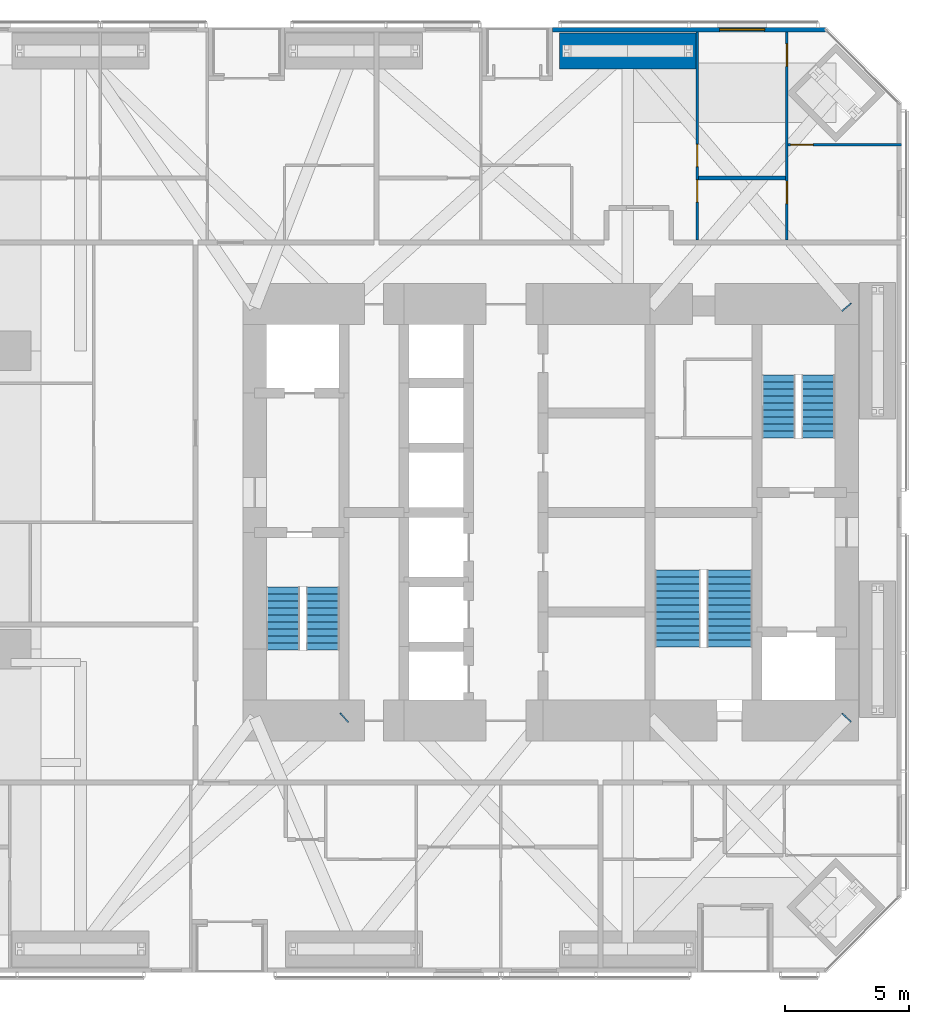
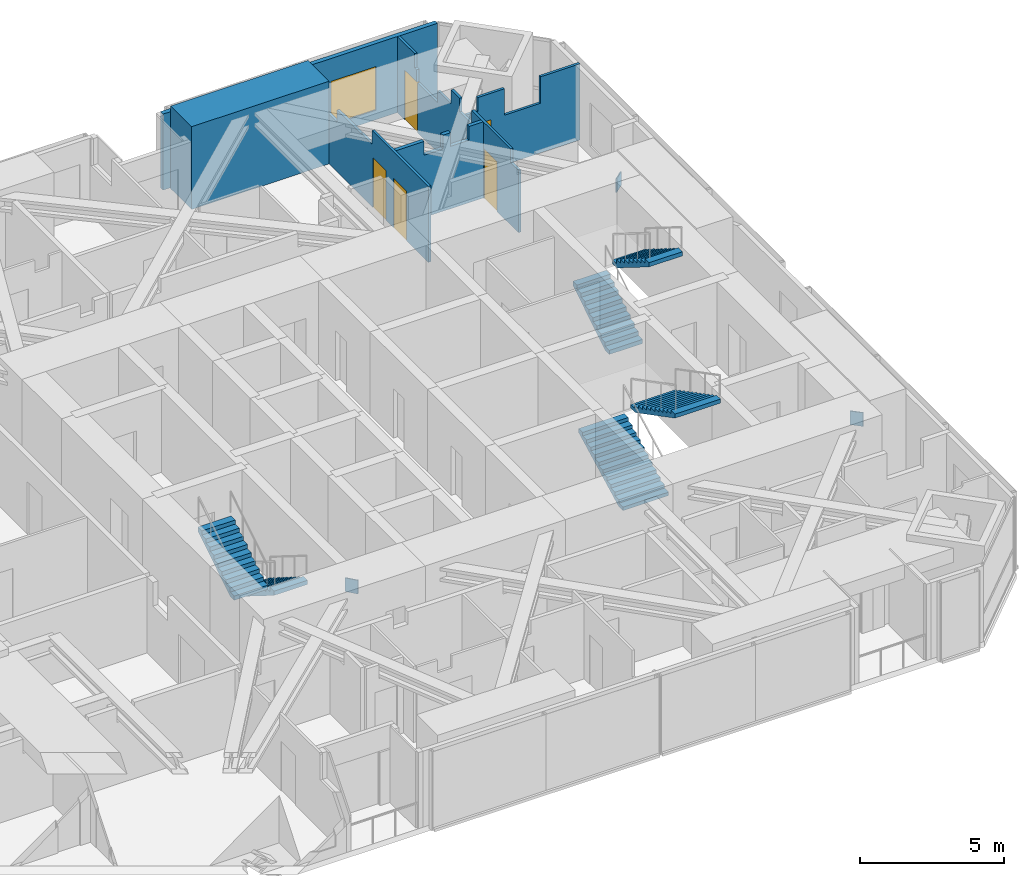
# One storey, part 21 of 22: 6 stair flights, 6 walls, 5 doors, 3 discrete accessories, 1 window, 6 openings, 3 elements without a shape of their own.
"""IFC4 building model written with IfcOpenShell, lengths in metres."""

from ifc_helpers import new_model, si_unit, direction, frame, frame_2d, origin, origin_2d, place, context, subcontext, project, spatial, polyline, rectangle, outline, extrude, material, layer, layer_set, constituent, constituent_set, material_profile, profile_set, type_object, element, fill, aggregate, save


model = new_model("IFC4")

# Units and contexts
model_context = context("Model", 3, precision=1e-05, world=origin(), true_north=direction((0.0, 1.0)))
body_context = subcontext(model_context, "Body", "Model", "MODEL_VIEW")
ifc_project = project(units=[si_unit("LENGTHUNIT", "METRE"), si_unit("AREAUNIT", "SQUARE_METRE"), si_unit("VOLUMEUNIT", "CUBIC_METRE"), si_unit("PLANEANGLEUNIT", "RADIAN"), si_unit("MASSUNIT", "GRAM", prefix="KILO")], contexts=[model_context])

# Site, building, storey
site_placement = place(None, origin())
site = spatial("IfcSite", under=ifc_project, at=site_placement, CompositionType="ELEMENT")
building_placement = place(site_placement, origin())
building = spatial("IfcBuilding", under=site, at=building_placement, Name="Jalousie Tower", CompositionType="ELEMENT")
storey_placement = place(building_placement, frame((0.0, 0.0, 71.25)))
storey = spatial("IfcBuildingStorey", under=building, at=storey_placement, Name="L19", CompositionType="ELEMENT", Elevation=71.25)

# Wall
ifc_material_1 = material(Name="Concrete block ASTM C90", Category="concrete")
ifc_constituent_1 = constituent(ifc_material_1, Name="Body")
ifc_material_2 = material(Name="Render")
ifc_constituent_2 = constituent(ifc_material_2, Name="Finish")
ifc_constituent_set_1 = constituent_set(constituents=[ifc_constituent_1, ifc_constituent_2])
wall_type_1 = type_object("IfcWallType", Name="BATHROOM WALL 150", PredefinedType="PLUMBINGWALL", material=ifc_constituent_set_1)
wall_1_placement = place(storey_placement, frame((37.85009765625, 31.949951171875, 0.0), z_axis=(0.0, 0.0, 1.0), x_axis=(1.0, 0.0, 0.0)))
element("IfcWall", 1, at=wall_1_placement, inside=storey, type_object=wall_type_1, Name="Bathroom Wall 150 L19", PredefinedType="PLUMBINGWALL", context=body_context, shape_type="SweptSolid", body=[
    extrude(outline(polyline([(0.0, 0.0), (3.5, 0.0), (3.5, 3.219970703125), (2.93359375, 3.219970703125), (2.93359375, 2.640869140625), (2.1787109375, 2.640869140625), (2.1787109375, 3.219970703125), (1.882080078125, 3.219970703125), (1.882080078125, 2.640869140625), (1.132568359375, 2.640869140625), (1.132568359375, 3.219970703125), (0.0, 3.219970703125), (0.0, 0.0)])), frame((0.0, 0.074951171875, 0.0), z_axis=(0.0, -1.0, 0.0), x_axis=(1.0, 0.0, 0.0)), (0.0, 0.0, 1.0), 0.14990234375),
])

# Wall, opening, window
ifc_material_3 = material(Name="Concrete f'c 40 MPa", Category="concrete")
ifc_constituent_3 = constituent(ifc_material_3, Name="Body")
ifc_material_4 = material(Name="Render, pastel coral")
ifc_constituent_4 = constituent(ifc_material_4, Name="Finish")
ifc_constituent_set_2 = constituent_set(constituents=[ifc_constituent_3, ifc_constituent_4])
wall_type_2 = type_object("IfcWallType", Name="EXTERNAL WALL 175 CORAL RENDER", PredefinedType="SOLIDWALL", material=ifc_constituent_set_2)
wall_2_placement = place(storey_placement, frame((42.94873046875, 37.91259765625, 0.0), z_axis=(0.0, 0.0, 1.0), x_axis=(-1.0, 0.0, 0.0)))
wall_2 = element("IfcWall", 2, at=wall_2_placement, inside=storey, type_object=wall_type_2, Name="External Wall 175 Coral Render L19", PredefinedType="SOLIDWALL", context=body_context, shape_type="SweptSolid", body=[
    extrude(rectangle(XDim=10.9736328125, YDim=0.175048828125, at=frame_2d((5.48681640625, 0.0))), origin(), (0.0, 0.0, 1.0), 3.219970703125),
])
opening_1_placement = place(wall_2_placement, frame((2.44873046875, 0.0, 0.39990234375)))
opening_1 = element("IfcOpeningElement", 3, at=opening_1_placement, cuts=wall_2, Name="Opening W-BED185", PredefinedType="OPENING", context=body_context, shape_type="SweptSolid", body=[
    extrude(rectangle(XDim=1.800048828125, YDim=1.85009765625, at=frame_2d((0.89990234375, 0.925048828125))), frame((0.0, 0.097412109375, 0.0), z_axis=(0.0, -1.0, 0.0), x_axis=(1.0, 0.0, 0.0)), (0.0, 0.0, 1.0), 0.195068359375),
])
ifc_material_5 = material(Name="Aluminium frame, impact-rated glazing", Category="aluminium")
window_type = type_object("IfcWindowType", Name="WINDOW BED 1800x1850", PartitioningType="SINGLE_PANEL", PredefinedType="WINDOW", material=ifc_material_5)
window_placement = place(opening_1_placement, origin())
window = element("IfcWindow", 4, at=window_placement, inside=storey, type_object=window_type, Name="Apartment 1904 bedroom 2 window", OverallHeight=1.85009765625, OverallWidth=1.800048828125, PartitioningType="SINGLE_PANEL", PredefinedType="WINDOW", context=body_context, shape_type="SweptSolid", body=[
    extrude(rectangle(XDim=1.800048828125, YDim=1.85009765625, at=frame_2d((0.89990234375, 0.925048828125))), frame((0.0, 0.030029296875, 0.0), z_axis=(0.0, -1.0, 0.0), x_axis=(1.0, 0.0, 0.0)), (0.0, 0.0, 1.0), 0.06005859375),
])
fill(opening_1, window)

# Wall, openings, doors
ifc_material_6 = material(Name="Gypsum board", Category="gypsum")
ifc_constituent_5 = constituent(ifc_material_6, Name="Body")
ifc_material_7 = material(Name="Light-gauge steel studs ASTM A653 SS Grade 33", Category="steel")
ifc_constituent_6 = constituent(ifc_material_7, Name="Framing")
ifc_constituent_set_3 = constituent_set(constituents=[ifc_constituent_5, ifc_constituent_6])
wall_type_3 = type_object("IfcWallType", Name="PARTITION 100", PredefinedType="PARTITIONING", material=ifc_constituent_set_3)
wall_3_placement = place(storey_placement, frame((37.800048828125, 37.824951171875, 0.0), z_axis=(0.0, 0.0, 1.0), x_axis=(0.0, -1.0, 0.0)))
wall_3 = element("IfcWall", 5, at=wall_3_placement, inside=storey, type_object=wall_type_3, Name="Partition 100 L19", PredefinedType="PARTITIONING", context=body_context, shape_type="SweptSolid", body=[
    extrude(outline(polyline([(0.0, 0.0), (8.375, 0.0), (8.375, 3.219970703125), (4.474365234375, 3.219970703125), (4.474365234375, 2.640869140625), (3.71630859375, 2.640869140625), (3.71630859375, 2.6201171875), (2.0615234375, 2.6201171875), (2.0615234375, 2.10009765625), (0.613525390625, 2.10009765625), (0.613525390625, 3.219970703125), (0.0, 3.219970703125), (0.0, 0.0)])), frame((0.0, 0.050048828125, 0.0), z_axis=(0.0, -1.0, 0.0), x_axis=(1.0, 0.0, 0.0)), (0.0, 0.0, 1.0), 0.10009765625),
])
opening_2_placement = place(wall_3_placement, frame((4.52490234375, 0.0, 0.0)))
opening_2 = element("IfcOpeningElement", 6, at=opening_2_placement, cuts=wall_3, Name="Opening D2", PredefinedType="OPENING", context=body_context, shape_type="SweptSolid", body=[
    extrude(rectangle(XDim=0.89990234375, YDim=2.10009765625, at=frame_2d((0.449951171875, 1.050048828125))), frame((0.0, 0.06005859375, 0.0), z_axis=(0.0, -1.0, 0.0), x_axis=(1.0, 0.0, 0.0)), (0.0, 0.0, 1.0), 0.1201171875),
])
opening_3_placement = place(wall_3_placement, frame((5.949951171875, 0.0, 0.0)))
opening_3 = element("IfcOpeningElement", 7, at=opening_3_placement, cuts=wall_3, Name="Opening D7", PredefinedType="OPENING", context=body_context, shape_type="SweptSolid", body=[
    extrude(rectangle(XDim=0.89990234375, YDim=2.10009765625, at=frame_2d((0.449951171875, 1.050048828125))), frame((0.0, 0.06005859375, 0.0), z_axis=(0.0, -1.0, 0.0), x_axis=(1.0, 0.0, 0.0)), (0.0, 0.0, 1.0), 0.1201171875),
])
ifc_material_8 = material(Name="Timber door", Category="wood")
door_type_1 = type_object("IfcDoorType", Name="BEDROOM DOOR 900", OperationType="SINGLE_SWING_LEFT", PredefinedType="DOOR", material=ifc_material_8)
door_1_placement = place(opening_2_placement, origin())
door_1 = element("IfcDoor", 8, at=door_1_placement, inside=storey, type_object=door_type_1, Name="Apartment 1904 bedroom 2 door", OperationType="SINGLE_SWING_RIGHT", OverallHeight=2.10009765625, OverallWidth=0.89990234375, PredefinedType="DOOR", context=body_context, shape_type="SweptSolid", body=[
    extrude(rectangle(XDim=0.89990234375, YDim=2.10009765625, at=frame_2d((0.449951171875, 1.050048828125))), frame((0.0, 0.02490234375, 0.0), z_axis=(0.0, -1.0, 0.0), x_axis=(1.0, 0.0, 0.0)), (0.0, 0.0, 1.0), 0.050048828125),
])
fill(opening_2, door_1)
ifc_material_9 = material(Name="Timber door", Category="wood")
door_type_2 = type_object("IfcDoorType", Name="INTERNAL DOOR 900", OperationType="SINGLE_SWING_LEFT", PredefinedType="DOOR", material=ifc_material_9)
door_2_placement = place(opening_3_placement, origin())
door_2 = element("IfcDoor", 9, at=door_2_placement, inside=storey, type_object=door_type_2, Name="Apartment 1904 bathroom door", OperationType="SINGLE_SWING_LEFT", OverallHeight=2.10009765625, OverallWidth=0.89990234375, PredefinedType="DOOR", context=body_context, shape_type="SweptSolid", body=[
    extrude(rectangle(XDim=0.89990234375, YDim=2.10009765625, at=frame_2d((0.449951171875, 1.050048828125))), frame((0.0, 0.02490234375, 0.0), z_axis=(0.0, -1.0, 0.0), x_axis=(1.0, 0.0, 0.0)), (0.0, 0.0, 1.0), 0.050048828125),
])
fill(opening_3, door_2)

wall_4_placement = place(storey_placement, frame((41.39990234375, 37.824951171875, 0.0), z_axis=(0.0, 0.0, 1.0), x_axis=(0.0, -1.0, 0.0)))
wall_4 = element("IfcWall", 10, at=wall_4_placement, inside=storey, type_object=wall_type_3, Name="Partition 100 L19", PredefinedType="PARTITIONING", context=body_context, shape_type="SweptSolid", body=[
    extrude(outline(polyline([(0.0, 0.0), (8.375, 0.0), (8.375, 2.640869140625), (7.84375, 2.640869140625), (7.84375, 3.219970703125), (5.146484375, 3.219970703125), (5.146484375, 2.640869140625), (4.309814453125, 2.640869140625), (4.309814453125, 3.219970703125), (3.71630859375, 3.219970703125), (3.71630859375, 2.6201171875), (2.784912109375, 2.6201171875), (2.784912109375, 2.10009765625), (1.3369140625, 2.10009765625), (1.3369140625, 2.6201171875), (1.1962890625, 2.6201171875), (1.1962890625, 3.219970703125), (0.0, 3.219970703125), (0.0, 0.0)])), frame((0.0, 0.050048828125, 0.0), z_axis=(0.0, -1.0, 0.0), x_axis=(1.0, 0.0, 0.0)), (0.0, 0.0, 1.0), 0.10009765625),
])
opening_4_placement = place(wall_4_placement, frame((0.486328125, 0.0, 0.0)))
opening_4 = element("IfcOpeningElement", 11, at=opening_4_placement, cuts=wall_4, Name="Opening D2", PredefinedType="OPENING", context=body_context, shape_type="SweptSolid", body=[
    extrude(rectangle(XDim=0.89990234375, YDim=2.10009765625, at=frame_2d((0.449951171875, 1.050048828125))), frame((0.0, 0.06005859375, 0.0), z_axis=(0.0, -1.0, 0.0), x_axis=(1.0, 0.0, 0.0)), (0.0, 0.0, 1.0), 0.1201171875),
])
opening_5_placement = place(wall_4_placement, frame((6.005615234375, 0.0, 0.0)))
opening_5 = element("IfcOpeningElement", 12, at=opening_5_placement, cuts=wall_4, Name="Opening D3", PredefinedType="OPENING", context=body_context, shape_type="SweptSolid", body=[
    extrude(rectangle(XDim=0.89990234375, YDim=2.10009765625, at=frame_2d((0.449951171875, 1.050048828125))), frame((0.0, 0.06005859375, 0.0), z_axis=(0.0, -1.0, 0.0), x_axis=(1.0, 0.0, 0.0)), (0.0, 0.0, 1.0), 0.1201171875),
])
ifc_material_10 = material(Name="Timber door", Category="wood")
door_type_3 = type_object("IfcDoorType", Name="BATHROOM DOOR 900", OperationType="SINGLE_SWING_LEFT", PredefinedType="DOOR", material=ifc_material_10)
door_3_placement = place(opening_5_placement, frame((0.89990234375, 0.0, 0.0), z_axis=(0.0, 0.0, 1.0), x_axis=(-1.0, 0.0, 0.0)))
door_3 = element("IfcDoor", 13, at=door_3_placement, inside=storey, type_object=door_type_3, Name="Apartment 1904 bedroom 3 bathroom door", OperationType="SINGLE_SWING_RIGHT", OverallHeight=2.10009765625, OverallWidth=0.89990234375, PredefinedType="DOOR", context=body_context, shape_type="SweptSolid", body=[
    extrude(rectangle(XDim=0.89990234375, YDim=2.10009765625, at=frame_2d((0.449951171875, 1.050048828125))), frame((0.0, 0.02490234375, 0.0), z_axis=(0.0, -1.0, 0.0), x_axis=(1.0, 0.0, 0.0)), (0.0, 0.0, 1.0), 0.050048828125),
])
fill(opening_5, door_3)
door_4_placement = place(opening_4_placement, frame((0.89990234375, 0.0, 0.0), z_axis=(0.0, 0.0, 1.0), x_axis=(-1.0, 0.0, 0.0)))
door_4 = element("IfcDoor", 14, at=door_4_placement, inside=storey, type_object=door_type_1, Name="Apartment 1904 bedroom 3 door", OperationType="SINGLE_SWING_RIGHT", OverallHeight=2.10009765625, OverallWidth=0.89990234375, PredefinedType="DOOR", context=body_context, shape_type="SweptSolid", body=[
    extrude(rectangle(XDim=0.89990234375, YDim=2.10009765625, at=frame_2d((0.449951171875, 1.050048828125))), frame((0.0, 0.02490234375, 0.0), z_axis=(0.0, -1.0, 0.0), x_axis=(1.0, 0.0, 0.0)), (0.0, 0.0, 1.0), 0.050048828125),
])
fill(opening_4, door_4)

# Wall, opening, door
wall_5_placement = place(storey_placement, frame((41.449951171875, 33.288818359375, 0.0), z_axis=(0.0, 0.0, 1.0), x_axis=(1.0, 0.0, 0.0)))
wall_5 = element("IfcWall", 15, at=wall_5_placement, inside=storey, type_object=wall_type_3, Name="Partition 100 L19", PredefinedType="PARTITIONING", context=body_context, shape_type="SweptSolid", body=[
    extrude(outline(polyline([(0.0, 0.0), (4.550048828125, 0.0), (4.550048828125, 3.219970703125), (2.97314453125, 3.219970703125), (2.97314453125, 2.10009765625), (1.53857421875, 2.10009765625), (1.53857421875, 3.219970703125), (0.47216796875, 3.219970703125), (0.47216796875, 2.640869140625), (0.0, 2.640869140625), (0.0, 0.0)])), frame((0.0, 0.050048828125, 0.0), z_axis=(0.0, -1.0, 0.0), x_axis=(1.0, 0.0, 0.0)), (0.0, 0.0, 1.0), 0.10009765625),
])
opening_6_placement = place(wall_5_placement, frame((0.10009765625, 0.0, 0.0)))
opening_6 = element("IfcOpeningElement", 16, at=opening_6_placement, cuts=wall_5, Name="Opening D7", PredefinedType="OPENING", context=body_context, shape_type="SweptSolid", body=[
    extrude(rectangle(XDim=0.89990234375, YDim=2.10009765625, at=frame_2d((0.449951171875, 1.050048828125))), frame((0.0, 0.06005859375, 0.0), z_axis=(0.0, -1.0, 0.0), x_axis=(1.0, 0.0, 0.0)), (0.0, 0.0, 1.0), 0.1201171875),
])
door_5_placement = place(opening_6_placement, frame((0.89990234375, 0.0, 0.0), z_axis=(0.0, 0.0, 1.0), x_axis=(-1.0, 0.0, 0.0)))
door_5 = element("IfcDoor", 17, at=door_5_placement, inside=storey, type_object=door_type_2, Name="Apartment 1904 bedroom 3 dressing hall door", OperationType="SINGLE_SWING_RIGHT", OverallHeight=2.10009765625, OverallWidth=0.89990234375, PredefinedType="DOOR", context=body_context, shape_type="SweptSolid", body=[
    extrude(rectangle(XDim=0.89990234375, YDim=2.10009765625, at=frame_2d((0.449951171875, 1.050048828125))), frame((0.0, 0.02490234375, 0.0), z_axis=(0.0, -1.0, 0.0), x_axis=(1.0, 0.0, 0.0)), (0.0, 0.0, 1.0), 0.050048828125),
])
fill(opening_6, door_5)

# Wall
ifc_material_11 = material(Name="Concrete f'c 120 MPa", Category="concrete")
ifc_layer = layer(ifc_material_11, 1.449951171875)
ifc_layer_set = layer_set([ifc_layer], Name="Concrete f'c 120 MPa")
wall_type_4 = type_object("IfcWallType", Name="RC WALL PIER 1450", PredefinedType="SHEAR", material=ifc_layer_set)
wall_6_placement = place(storey_placement, frame((32.25, 37.050048828125, 0.0), z_axis=(0.0, 0.0, 1.0), x_axis=(1.0, 0.0, 0.0)))
element("IfcWall", 18, at=wall_6_placement, inside=storey, type_object=wall_type_4, Name="Wall pier 09 L19", PredefinedType="SHEAR", context=body_context, shape_type="SweptSolid", body=[
    extrude(rectangle(XDim=5.5, YDim=1.449951171875, at=frame_2d((2.75, 0.0))), origin(), (0.0, 0.0, 1.0), 3.5),
])

# Stair, stair flights
ifc_material_12 = material(Name="Concrete f'c 40 MPa", Category="concrete")
stair_type = type_object("IfcStairType", Name="EXIT STAIR", PredefinedType="HALF_TURN_STAIR", material=ifc_material_12)
stair_1_placement = place(storey_placement, origin())
stair_1 = element("IfcStair", 19, at=stair_1_placement, inside=storey, type_object=stair_type, Name="Exit stair A L19", PredefinedType="HALF_TURN_STAIR")
ifc_material_13 = material(Name="Concrete f'c 40 MPa", Category="concrete")
stair_flight_type = type_object("IfcStairFlightType", Name="STAIR FLIGHT", PredefinedType="STRAIGHT", material=ifc_material_13)
stair_flight_1_placement = place(storey_placement, frame((22.731201171875, 15.49755859375, 0.0), z_axis=(0.0, 0.0, 1.0), x_axis=(0.0, -1.0, 0.0)))
stair_flight_1 = element("IfcStairFlight", 20, at=stair_flight_1_placement, type_object=stair_flight_type, Name="ST-A flight 1", NumberOfRisers=10, NumberOfTreads=9, PredefinedType="STRAIGHT", RiserHeight=0.175, TreadLength=0.28, context=body_context, shape_type="SweptSolid", body=[
    extrude(outline(polyline([(0.0, 0.0), (0.0, 0.175048828125), (0.280029296875, 0.175048828125), (0.280029296875, 0.35009765625), (0.56005859375, 0.35009765625), (0.56005859375, 0.52490234375), (0.840087890625, 0.52490234375), (0.840087890625, 0.699951171875), (1.1201171875, 0.699951171875), (1.1201171875, 0.875), (1.39990234375, 0.875), (1.39990234375, 1.050048828125), (1.679931640625, 1.050048828125), (1.679931640625, 1.22509765625), (1.9599609375, 1.22509765625), (1.9599609375, 1.39990234375), (2.239990234375, 1.39990234375), (2.239990234375, 1.574951171875), (2.52001953125, 1.574951171875), (2.52001953125, 1.75), (2.52001953125, 1.398193359375), (0.28271484375, 0.0), (0.0, 0.0)])), frame((0.0, 0.668701171875, 0.0), z_axis=(0.0, -1.0, 0.0), x_axis=(1.0, 0.0, 0.0)), (0.0, 0.0, 1.0), 1.33740234375),
])
stair_flight_2_placement = place(storey_placement, frame((21.143798828125, 12.9775390625, 1.75), z_axis=(0.0, 0.0, 1.0), x_axis=(0.0, 1.0, 0.0)))
stair_flight_2 = element("IfcStairFlight", 21, at=stair_flight_2_placement, type_object=stair_flight_type, Name="ST-A flight 2", NumberOfRisers=10, NumberOfTreads=9, PredefinedType="STRAIGHT", RiserHeight=0.175, TreadLength=0.28, context=body_context, shape_type="SweptSolid", body=[
    extrude(outline(polyline([(0.0, 0.0), (0.0, 0.175048828125), (0.280029296875, 0.175048828125), (0.280029296875, 0.35009765625), (0.56005859375, 0.35009765625), (0.56005859375, 0.52490234375), (0.840087890625, 0.52490234375), (0.840087890625, 0.699951171875), (1.1201171875, 0.699951171875), (1.1201171875, 0.875), (1.39990234375, 0.875), (1.39990234375, 1.050048828125), (1.679931640625, 1.050048828125), (1.679931640625, 1.22509765625), (1.9599609375, 1.22509765625), (1.9599609375, 1.39990234375), (2.239990234375, 1.39990234375), (2.239990234375, 1.574951171875), (2.52001953125, 1.574951171875), (2.52001953125, 1.75), (2.52001953125, 1.398193359375), (0.28271484375, 0.0), (0.0, 0.0)])), frame((0.0, 0.668701171875, 0.0), z_axis=(0.0, -1.0, 0.0), x_axis=(1.0, 0.0, 0.0)), (0.0, 0.0, 1.0), 1.33740234375),
])
aggregate(stair_1, [stair_flight_1, stair_flight_2])

stair_2_placement = place(storey_placement, origin())
stair_2 = element("IfcStair", 22, at=stair_2_placement, inside=storey, type_object=stair_type, Name="Exit stair B L19", PredefinedType="HALF_TURN_STAIR")
stair_flight_3_placement = place(storey_placement, frame((41.06884765625, 21.50244140625, 0.0), z_axis=(0.0, 0.0, 1.0), x_axis=(0.0, 1.0, 0.0)))
stair_flight_3 = element("IfcStairFlight", 23, at=stair_flight_3_placement, type_object=stair_flight_type, Name="ST-B flight 1", NumberOfRisers=10, NumberOfTreads=9, PredefinedType="STRAIGHT", RiserHeight=0.175, TreadLength=0.28, context=body_context, shape_type="SweptSolid", body=[
    extrude(outline(polyline([(0.0, 0.0), (0.0, 0.175048828125), (0.280029296875, 0.175048828125), (0.280029296875, 0.35009765625), (0.56005859375, 0.35009765625), (0.56005859375, 0.52490234375), (0.840087890625, 0.52490234375), (0.840087890625, 0.699951171875), (1.1201171875, 0.699951171875), (1.1201171875, 0.875), (1.39990234375, 0.875), (1.39990234375, 1.050048828125), (1.679931640625, 1.050048828125), (1.679931640625, 1.22509765625), (1.9599609375, 1.22509765625), (1.9599609375, 1.39990234375), (2.239990234375, 1.39990234375), (2.239990234375, 1.574951171875), (2.52001953125, 1.574951171875), (2.52001953125, 1.75), (2.52001953125, 1.398193359375), (0.28271484375, 0.0), (0.0, 0.0)])), frame((0.0, 0.668701171875, 0.0), z_axis=(0.0, -1.0, 0.0), x_axis=(1.0, 0.0, 0.0)), (0.0, 0.0, 1.0), 1.33740234375),
])
stair_flight_4_placement = place(storey_placement, frame((42.65625, 24.0224609375, 1.75), z_axis=(0.0, 0.0, 1.0), x_axis=(0.0, -1.0, 0.0)))
stair_flight_4 = element("IfcStairFlight", 24, at=stair_flight_4_placement, type_object=stair_flight_type, Name="ST-B flight 2", NumberOfRisers=10, NumberOfTreads=9, PredefinedType="STRAIGHT", RiserHeight=0.175, TreadLength=0.28, context=body_context, shape_type="SweptSolid", body=[
    extrude(outline(polyline([(0.0, 0.0), (0.0, 0.175048828125), (0.280029296875, 0.175048828125), (0.280029296875, 0.35009765625), (0.56005859375, 0.35009765625), (0.56005859375, 0.52490234375), (0.840087890625, 0.52490234375), (0.840087890625, 0.699951171875), (1.1201171875, 0.699951171875), (1.1201171875, 0.875), (1.39990234375, 0.875), (1.39990234375, 1.050048828125), (1.679931640625, 1.050048828125), (1.679931640625, 1.22509765625), (1.9599609375, 1.22509765625), (1.9599609375, 1.39990234375), (2.239990234375, 1.39990234375), (2.239990234375, 1.574951171875), (2.52001953125, 1.574951171875), (2.52001953125, 1.75), (2.52001953125, 1.398193359375), (0.28271484375, 0.0), (0.0, 0.0)])), frame((0.0, 0.668701171875, 0.0), z_axis=(0.0, -1.0, 0.0), x_axis=(1.0, 0.0, 0.0)), (0.0, 0.0, 1.0), 1.33740234375),
])
aggregate(stair_2, [stair_flight_3, stair_flight_4])

stair_3_placement = place(storey_placement, origin())
stair_3 = element("IfcStair", 25, at=stair_3_placement, inside=storey, type_object=stair_type, Name="Exit stair C L19", PredefinedType="HALF_TURN_STAIR")
stair_flight_5_placement = place(storey_placement, frame((37.012451171875, 13.097412109375, 0.0), z_axis=(0.0, 0.0, 1.0), x_axis=(0.0, 1.0, 0.0)))
stair_flight_5 = element("IfcStairFlight", 26, at=stair_flight_5_placement, type_object=stair_flight_type, Name="ST-C flight 1", NumberOfRisers=12, NumberOfTreads=11, PredefinedType="STRAIGHT", RiserHeight=0.145833333, TreadLength=0.28, context=body_context, shape_type="SweptSolid", body=[
    extrude(outline(polyline([(0.0, 0.0), (0.0, 0.145751953125), (0.280029296875, 0.145751953125), (0.280029296875, 0.291748046875), (0.56005859375, 0.291748046875), (0.56005859375, 0.4375), (0.840087890625, 0.4375), (0.840087890625, 0.583251953125), (1.1201171875, 0.583251953125), (1.1201171875, 0.729248046875), (1.39990234375, 0.729248046875), (1.39990234375, 0.875), (1.679931640625, 0.875), (1.679931640625, 1.020751953125), (1.9599609375, 1.020751953125), (1.9599609375, 1.166748046875), (2.239990234375, 1.166748046875), (2.239990234375, 1.3125), (2.52001953125, 1.3125), (2.52001953125, 1.458251953125), (2.800048828125, 1.458251953125), (2.800048828125, 1.604248046875), (3.080078125, 1.604248046875), (3.080078125, 1.75), (3.080078125, 1.43505859375), (0.324462890625, 0.0), (0.0, 0.0)])), frame((0.0, 0.91259765625, 0.0), z_axis=(0.0, -1.0, 0.0), x_axis=(1.0, 0.0, 0.0)), (0.0, 0.0, 1.0), 1.824951171875),
])
stair_flight_6_placement = place(storey_placement, frame((39.08740234375, 16.177490234375, 1.75), z_axis=(0.0, 0.0, 1.0), x_axis=(0.0, -1.0, 0.0)))
stair_flight_6 = element("IfcStairFlight", 27, at=stair_flight_6_placement, type_object=stair_flight_type, Name="ST-C flight 2", NumberOfRisers=12, NumberOfTreads=11, PredefinedType="STRAIGHT", RiserHeight=0.145833333, TreadLength=0.28, context=body_context, shape_type="SweptSolid", body=[
    extrude(outline(polyline([(0.0, 0.0), (0.0, 0.145751953125), (0.280029296875, 0.145751953125), (0.280029296875, 0.291748046875), (0.56005859375, 0.291748046875), (0.56005859375, 0.4375), (0.840087890625, 0.4375), (0.840087890625, 0.583251953125), (1.1201171875, 0.583251953125), (1.1201171875, 0.729248046875), (1.39990234375, 0.729248046875), (1.39990234375, 0.875), (1.679931640625, 0.875), (1.679931640625, 1.020751953125), (1.9599609375, 1.020751953125), (1.9599609375, 1.166748046875), (2.239990234375, 1.166748046875), (2.239990234375, 1.3125), (2.52001953125, 1.3125), (2.52001953125, 1.458251953125), (2.800048828125, 1.458251953125), (2.800048828125, 1.604248046875), (3.080078125, 1.604248046875), (3.080078125, 1.75), (3.080078125, 1.43505859375), (0.324462890625, 0.0), (0.0, 0.0)])), frame((0.0, 0.91259765625, 0.0), z_axis=(0.0, -1.0, 0.0), x_axis=(1.0, 0.0, 0.0)), (0.0, 0.0, 1.0), 1.824951171875),
])
aggregate(stair_3, [stair_flight_5, stair_flight_6])

# Discrete accessories
ifc_material_14 = material(Name="Steel ASTM A572 Grade 50 plate", Category="steel")
ifc_material_profile = material_profile(ifc_material_14, rectangle(XDim=0.472412109375, YDim=0.5791015625, at=origin_2d()), Name="BRACE END PLATE 472x579x40")
ifc_profile_set = profile_set([ifc_material_profile], Name="Steel ASTM A572 Grade 50 plate")
discrete_accessory_type = type_object("IfcDiscreteAccessoryType", Name="BRACE END PLATE 472x579x40", PredefinedType="USERDEFINED", material=ifc_profile_set)
discrete_accessory_placement = place(storey_placement, frame((23.5849609375, 10.23681640625, 2.930419921875), z_axis=(0.751440225051, 0.659801173215, 0.0), x_axis=(-0.659801173215, 0.751440225051, 0.0)))
element("IfcDiscreteAccessory", 28, at=discrete_accessory_placement, inside=storey, type_object=discrete_accessory_type, Name="Kink floor truss L20 02 diagonal end plate 2", ObjectType="STRUT END PLATE", PredefinedType="USERDEFINED", context=body_context, shape_type="SweptSolid", body=[
    extrude(rectangle(XDim=0.472412109375, YDim=0.5791015625, at=origin_2d()), origin(), (0.0, 0.0, 1.0), 0.0400390625),
])
for number, where, z_axis, x_axis, name in (
    (29, (43.786376953125, 10.235595703125, 2.930419921875), (0.688426310031, 0.725306290926, 0.0), (-0.725306290926, 0.688426310031, 0.0), "Kink floor truss L20 04 diagonal end plate 2"),
    (30, (43.787109375, 26.76513671875, 2.930419921875), (0.649781149204, -0.760121344352, 0.0), (0.760121344352, 0.649781149204, 0.0), "Kink floor truss L20 09 diagonal end plate 2"),
):
    element("IfcDiscreteAccessory", number, at=place(storey_placement, frame(where, z_axis=z_axis, x_axis=x_axis)), inside=storey, type_object=discrete_accessory_type, Name=name, ObjectType="STRUT END PLATE", PredefinedType="USERDEFINED", context=body_context, shape_type="SweptSolid", body=[
        extrude(rectangle(XDim=0.472412109375, YDim=0.5791015625, at=origin_2d()), origin(), (0.0, 0.0, 1.0), 0.039794921875),
    ])

save(model, "model.ifc")
